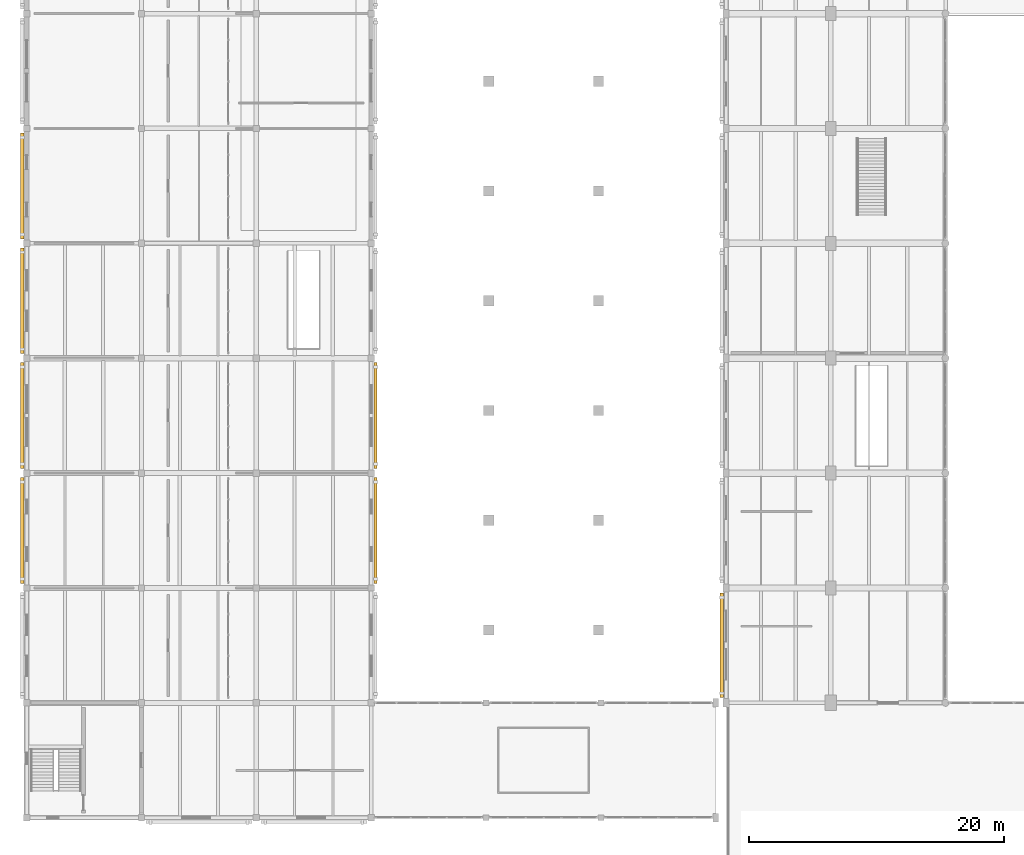
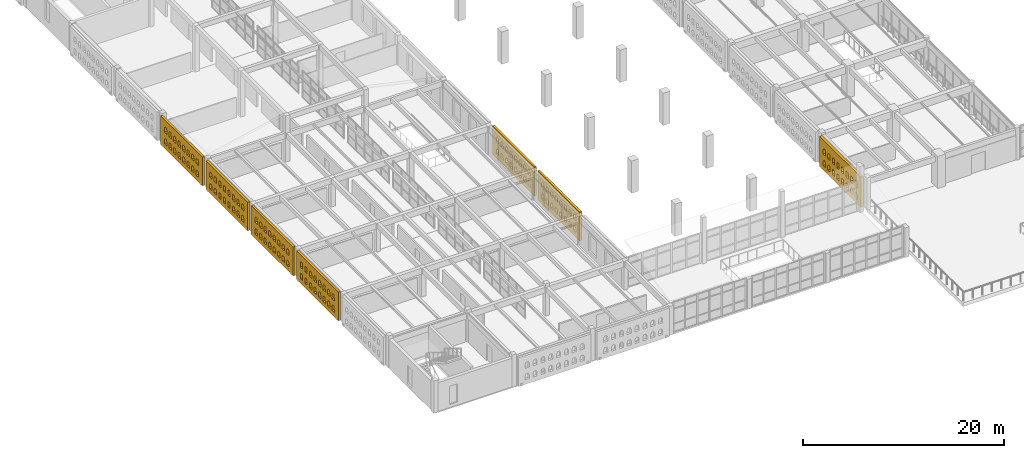
# One storey, part 143 of 156: 7 coverings.
"""IFC4 building model written with IfcOpenShell, lengths in metres."""

from ifc_helpers import new_model, si_unit, direction, frame, origin, place, context, subcontext, project, spatial, polyline, outline, extrude, material, layer, layer_set, type_object, element, save


model = new_model("IFC4")

# Units and contexts
model_context = context("Model", 3, precision=1e-05, world=origin(), true_north=direction((0.0, 1.0)))
body_context = subcontext(model_context, "Body", "Model", "MODEL_VIEW")
ifc_project = project(units=[si_unit("LENGTHUNIT", "METRE"), si_unit("AREAUNIT", "SQUARE_METRE"), si_unit("VOLUMEUNIT", "CUBIC_METRE"), si_unit("PLANEANGLEUNIT", "RADIAN"), si_unit("MASSUNIT", "GRAM", prefix="KILO")], contexts=[model_context])

# Site, building, storey
site_placement = place(None, origin())
site = spatial("IfcSite", under=ifc_project, at=site_placement, CompositionType="ELEMENT")
building_placement = place(site_placement, origin())
building = spatial("IfcBuilding", under=site, at=building_placement, Name="Ornek Quay Market", CompositionType="ELEMENT")
storey_placement = place(building_placement, frame((0.0, 0.0, 4.5)))
storey = spatial("IfcBuildingStorey", under=building, at=storey_placement, Name="L01", CompositionType="ELEMENT", Elevation=4.5)

# Coverings
ifc_material = material(Name="Frost-resistant facing clay brick M200 F100", Category="masonry")
ifc_layer_1 = layer(ifc_material, 0.25, Name="Frost-resistant facing clay brick M200 F100", Category="masonry")
ifc_layer_set_1 = layer_set([ifc_layer_1], Name="Frost-resistant facing clay brick M200 F100")
covering_type_1 = type_object("IfcCoveringType", Name="COV-BRICK-LATTICE-250", PredefinedType="CLADDING", material=ifc_layer_set_1)
covering_1_placement = place(storey_placement, frame((-0.340087890625, 38.35009765625, 0.0), z_axis=(0.0, 0.0, 1.0), x_axis=(0.0, 1.0, 0.0)))
element("IfcCovering", 1, at=covering_1_placement, inside=storey, type_object=covering_type_1, Name="Arched brick lattice screen BLS-014", PredefinedType="CLADDING", context=body_context, shape_type="SweptSolid", body=[
    extrude(outline(polyline([(0.0, 0.0), (8.2998046875, 0.0), (8.2998046875, 3.47998046875), (0.0, 3.47998046875), (0.0, 0.0)]), holes=[polyline([(0.760009765625, 0.550048828125), (1.239990234375, 0.550048828125), (1.239990234375, 1.050048828125), (1.1201171875, 1.2578125), (0.8798828125, 1.2578125), (0.760009765625, 1.050048828125), (0.760009765625, 0.550048828125)]), polyline([(0.760009765625, 1.949951171875), (1.239990234375, 1.949951171875), (1.239990234375, 2.449951171875), (1.1201171875, 2.65771484375), (0.8798828125, 2.65771484375), (0.760009765625, 2.449951171875), (0.760009765625, 1.949951171875)]), polyline([(1.659912109375, 0.550048828125), (2.139892578125, 0.550048828125), (2.139892578125, 1.050048828125), (2.02001953125, 1.2578125), (1.780029296875, 1.2578125), (1.659912109375, 1.050048828125), (1.659912109375, 0.550048828125)]), polyline([(1.659912109375, 1.949951171875), (2.139892578125, 1.949951171875), (2.139892578125, 2.449951171875), (2.02001953125, 2.65771484375), (1.780029296875, 2.65771484375), (1.659912109375, 2.449951171875), (1.659912109375, 1.949951171875)]), polyline([(2.56005859375, 0.550048828125), (3.0400390625, 0.550048828125), (3.0400390625, 1.050048828125), (2.919921875, 1.2578125), (2.679931640625, 1.2578125), (2.56005859375, 1.050048828125), (2.56005859375, 0.550048828125)]), polyline([(2.56005859375, 1.949951171875), (3.0400390625, 1.949951171875), (3.0400390625, 2.449951171875), (2.919921875, 2.65771484375), (2.679931640625, 2.65771484375), (2.56005859375, 2.449951171875), (2.56005859375, 1.949951171875)]), polyline([(3.4599609375, 0.550048828125), (3.93994140625, 0.550048828125), (3.93994140625, 1.050048828125), (3.820068359375, 1.2578125), (3.580078125, 1.2578125), (3.4599609375, 1.050048828125), (3.4599609375, 0.550048828125)]), polyline([(3.4599609375, 1.949951171875), (3.93994140625, 1.949951171875), (3.93994140625, 2.449951171875), (3.820068359375, 2.65771484375), (3.580078125, 2.65771484375), (3.4599609375, 2.449951171875), (3.4599609375, 1.949951171875)]), polyline([(4.360107421875, 0.550048828125), (4.840087890625, 0.550048828125), (4.840087890625, 1.050048828125), (4.719970703125, 1.2578125), (4.47998046875, 1.2578125), (4.360107421875, 1.050048828125), (4.360107421875, 0.550048828125)]), polyline([(4.360107421875, 1.949951171875), (4.840087890625, 1.949951171875), (4.840087890625, 2.449951171875), (4.719970703125, 2.65771484375), (4.47998046875, 2.65771484375), (4.360107421875, 2.449951171875), (4.360107421875, 1.949951171875)]), polyline([(5.260009765625, 0.550048828125), (5.739990234375, 0.550048828125), (5.739990234375, 1.050048828125), (5.6201171875, 1.2578125), (5.3798828125, 1.2578125), (5.260009765625, 1.050048828125), (5.260009765625, 0.550048828125)]), polyline([(5.260009765625, 1.949951171875), (5.739990234375, 1.949951171875), (5.739990234375, 2.449951171875), (5.6201171875, 2.65771484375), (5.3798828125, 2.65771484375), (5.260009765625, 2.449951171875), (5.260009765625, 1.949951171875)]), polyline([(6.159912109375, 0.550048828125), (6.639892578125, 0.550048828125), (6.639892578125, 1.050048828125), (6.52001953125, 1.2578125), (6.280029296875, 1.2578125), (6.159912109375, 1.050048828125), (6.159912109375, 0.550048828125)]), polyline([(6.159912109375, 1.949951171875), (6.639892578125, 1.949951171875), (6.639892578125, 2.449951171875), (6.52001953125, 2.65771484375), (6.280029296875, 2.65771484375), (6.159912109375, 2.449951171875), (6.159912109375, 1.949951171875)]), polyline([(7.06005859375, 0.550048828125), (7.5400390625, 0.550048828125), (7.5400390625, 1.050048828125), (7.419921875, 1.2578125), (7.179931640625, 1.2578125), (7.06005859375, 1.050048828125), (7.06005859375, 0.550048828125)]), polyline([(7.06005859375, 1.949951171875), (7.5400390625, 1.949951171875), (7.5400390625, 2.449951171875), (7.419921875, 2.65771484375), (7.179931640625, 2.65771484375), (7.06005859375, 2.449951171875), (7.06005859375, 1.949951171875)])]), frame((0.0, 0.125, 0.0), z_axis=(0.0, -1.0, 0.0), x_axis=(1.0, 0.0, 0.0)), (0.0, 0.0, 1.0), 0.25),
])
covering_2_placement = place(storey_placement, frame((-0.340087890625, 47.35009765625, 0.0), z_axis=(0.0, 0.0, 1.0), x_axis=(0.0, 1.0, 0.0)))
element("IfcCovering", 2, at=covering_2_placement, inside=storey, type_object=covering_type_1, Name="Arched brick lattice screen BLS-015", PredefinedType="CLADDING", context=body_context, shape_type="SweptSolid", body=[
    extrude(outline(polyline([(0.0, 0.0), (8.2998046875, 0.0), (8.2998046875, 3.47998046875), (0.0, 3.47998046875), (0.0, 0.0)]), holes=[polyline([(0.760009765625, 0.550048828125), (1.239990234375, 0.550048828125), (1.239990234375, 1.050048828125), (1.1201171875, 1.2578125), (0.8798828125, 1.2578125), (0.760009765625, 1.050048828125), (0.760009765625, 0.550048828125)]), polyline([(0.760009765625, 1.949951171875), (1.239990234375, 1.949951171875), (1.239990234375, 2.449951171875), (1.1201171875, 2.65771484375), (0.8798828125, 2.65771484375), (0.760009765625, 2.449951171875), (0.760009765625, 1.949951171875)]), polyline([(1.659912109375, 0.550048828125), (2.139892578125, 0.550048828125), (2.139892578125, 1.050048828125), (2.02001953125, 1.2578125), (1.780029296875, 1.2578125), (1.659912109375, 1.050048828125), (1.659912109375, 0.550048828125)]), polyline([(1.659912109375, 1.949951171875), (2.139892578125, 1.949951171875), (2.139892578125, 2.449951171875), (2.02001953125, 2.65771484375), (1.780029296875, 2.65771484375), (1.659912109375, 2.449951171875), (1.659912109375, 1.949951171875)]), polyline([(2.56005859375, 0.550048828125), (3.0400390625, 0.550048828125), (3.0400390625, 1.050048828125), (2.919921875, 1.2578125), (2.679931640625, 1.2578125), (2.56005859375, 1.050048828125), (2.56005859375, 0.550048828125)]), polyline([(2.56005859375, 1.949951171875), (3.0400390625, 1.949951171875), (3.0400390625, 2.449951171875), (2.919921875, 2.65771484375), (2.679931640625, 2.65771484375), (2.56005859375, 2.449951171875), (2.56005859375, 1.949951171875)]), polyline([(3.4599609375, 0.550048828125), (3.93994140625, 0.550048828125), (3.93994140625, 1.050048828125), (3.820068359375, 1.2578125), (3.580078125, 1.2578125), (3.4599609375, 1.050048828125), (3.4599609375, 0.550048828125)]), polyline([(3.4599609375, 1.949951171875), (3.93994140625, 1.949951171875), (3.93994140625, 2.449951171875), (3.820068359375, 2.65771484375), (3.580078125, 2.65771484375), (3.4599609375, 2.449951171875), (3.4599609375, 1.949951171875)]), polyline([(4.360107421875, 0.550048828125), (4.840087890625, 0.550048828125), (4.840087890625, 1.050048828125), (4.719970703125, 1.2578125), (4.47998046875, 1.2578125), (4.360107421875, 1.050048828125), (4.360107421875, 0.550048828125)]), polyline([(4.360107421875, 1.949951171875), (4.840087890625, 1.949951171875), (4.840087890625, 2.449951171875), (4.719970703125, 2.65771484375), (4.47998046875, 2.65771484375), (4.360107421875, 2.449951171875), (4.360107421875, 1.949951171875)]), polyline([(5.260009765625, 0.550048828125), (5.739990234375, 0.550048828125), (5.739990234375, 1.050048828125), (5.6201171875, 1.2578125), (5.3798828125, 1.2578125), (5.260009765625, 1.050048828125), (5.260009765625, 0.550048828125)]), polyline([(5.260009765625, 1.949951171875), (5.739990234375, 1.949951171875), (5.739990234375, 2.449951171875), (5.6201171875, 2.65771484375), (5.3798828125, 2.65771484375), (5.260009765625, 2.449951171875), (5.260009765625, 1.949951171875)]), polyline([(6.159912109375, 0.550048828125), (6.639892578125, 0.550048828125), (6.639892578125, 1.050048828125), (6.52001953125, 1.2578125), (6.280029296875, 1.2578125), (6.159912109375, 1.050048828125), (6.159912109375, 0.550048828125)]), polyline([(6.159912109375, 1.949951171875), (6.639892578125, 1.949951171875), (6.639892578125, 2.449951171875), (6.52001953125, 2.65771484375), (6.280029296875, 2.65771484375), (6.159912109375, 2.449951171875), (6.159912109375, 1.949951171875)]), polyline([(7.06005859375, 0.550048828125), (7.5400390625, 0.550048828125), (7.5400390625, 1.050048828125), (7.419921875, 1.2578125), (7.179931640625, 1.2578125), (7.06005859375, 1.050048828125), (7.06005859375, 0.550048828125)]), polyline([(7.06005859375, 1.949951171875), (7.5400390625, 1.949951171875), (7.5400390625, 2.449951171875), (7.419921875, 2.65771484375), (7.179931640625, 2.65771484375), (7.06005859375, 2.449951171875), (7.06005859375, 1.949951171875)])]), frame((0.0, 0.125, 0.0), z_axis=(0.0, -1.0, 0.0), x_axis=(1.0, 0.0, 0.0)), (0.0, 0.0, 1.0), 0.25),
])
covering_3_placement = place(storey_placement, frame((-0.340087890625, 56.35009765625, 0.0), z_axis=(0.0, 0.0, 1.0), x_axis=(0.0, 1.0, 0.0)))
element("IfcCovering", 3, at=covering_3_placement, inside=storey, type_object=covering_type_1, Name="Arched brick lattice screen BLS-016", PredefinedType="CLADDING", context=body_context, shape_type="SweptSolid", body=[
    extrude(outline(polyline([(0.0, 0.0), (8.2998046875, 0.0), (8.2998046875, 3.47998046875), (0.0, 3.47998046875), (0.0, 0.0)]), holes=[polyline([(0.760009765625, 0.550048828125), (1.239990234375, 0.550048828125), (1.239990234375, 1.050048828125), (1.1201171875, 1.2578125), (0.8798828125, 1.2578125), (0.760009765625, 1.050048828125), (0.760009765625, 0.550048828125)]), polyline([(0.760009765625, 1.949951171875), (1.239990234375, 1.949951171875), (1.239990234375, 2.449951171875), (1.1201171875, 2.65771484375), (0.8798828125, 2.65771484375), (0.760009765625, 2.449951171875), (0.760009765625, 1.949951171875)]), polyline([(1.659912109375, 0.550048828125), (2.139892578125, 0.550048828125), (2.139892578125, 1.050048828125), (2.02001953125, 1.2578125), (1.780029296875, 1.2578125), (1.659912109375, 1.050048828125), (1.659912109375, 0.550048828125)]), polyline([(1.659912109375, 1.949951171875), (2.139892578125, 1.949951171875), (2.139892578125, 2.449951171875), (2.02001953125, 2.65771484375), (1.780029296875, 2.65771484375), (1.659912109375, 2.449951171875), (1.659912109375, 1.949951171875)]), polyline([(2.56005859375, 0.550048828125), (3.0400390625, 0.550048828125), (3.0400390625, 1.050048828125), (2.919921875, 1.2578125), (2.679931640625, 1.2578125), (2.56005859375, 1.050048828125), (2.56005859375, 0.550048828125)]), polyline([(2.56005859375, 1.949951171875), (3.0400390625, 1.949951171875), (3.0400390625, 2.449951171875), (2.919921875, 2.65771484375), (2.679931640625, 2.65771484375), (2.56005859375, 2.449951171875), (2.56005859375, 1.949951171875)]), polyline([(3.4599609375, 0.550048828125), (3.93994140625, 0.550048828125), (3.93994140625, 1.050048828125), (3.820068359375, 1.2578125), (3.580078125, 1.2578125), (3.4599609375, 1.050048828125), (3.4599609375, 0.550048828125)]), polyline([(3.4599609375, 1.949951171875), (3.93994140625, 1.949951171875), (3.93994140625, 2.449951171875), (3.820068359375, 2.65771484375), (3.580078125, 2.65771484375), (3.4599609375, 2.449951171875), (3.4599609375, 1.949951171875)]), polyline([(4.360107421875, 0.550048828125), (4.840087890625, 0.550048828125), (4.840087890625, 1.050048828125), (4.719970703125, 1.2578125), (4.47998046875, 1.2578125), (4.360107421875, 1.050048828125), (4.360107421875, 0.550048828125)]), polyline([(4.360107421875, 1.949951171875), (4.840087890625, 1.949951171875), (4.840087890625, 2.449951171875), (4.719970703125, 2.65771484375), (4.47998046875, 2.65771484375), (4.360107421875, 2.449951171875), (4.360107421875, 1.949951171875)]), polyline([(5.260009765625, 0.550048828125), (5.739990234375, 0.550048828125), (5.739990234375, 1.050048828125), (5.6201171875, 1.2578125), (5.3798828125, 1.2578125), (5.260009765625, 1.050048828125), (5.260009765625, 0.550048828125)]), polyline([(5.260009765625, 1.949951171875), (5.739990234375, 1.949951171875), (5.739990234375, 2.449951171875), (5.6201171875, 2.65771484375), (5.3798828125, 2.65771484375), (5.260009765625, 2.449951171875), (5.260009765625, 1.949951171875)]), polyline([(6.159912109375, 0.550048828125), (6.639892578125, 0.550048828125), (6.639892578125, 1.050048828125), (6.52001953125, 1.2578125), (6.280029296875, 1.2578125), (6.159912109375, 1.050048828125), (6.159912109375, 0.550048828125)]), polyline([(6.159912109375, 1.949951171875), (6.639892578125, 1.949951171875), (6.639892578125, 2.449951171875), (6.52001953125, 2.65771484375), (6.280029296875, 2.65771484375), (6.159912109375, 2.449951171875), (6.159912109375, 1.949951171875)]), polyline([(7.06005859375, 0.550048828125), (7.5400390625, 0.550048828125), (7.5400390625, 1.050048828125), (7.419921875, 1.2578125), (7.179931640625, 1.2578125), (7.06005859375, 1.050048828125), (7.06005859375, 0.550048828125)]), polyline([(7.06005859375, 1.949951171875), (7.5400390625, 1.949951171875), (7.5400390625, 2.449951171875), (7.419921875, 2.65771484375), (7.179931640625, 2.65771484375), (7.06005859375, 2.449951171875), (7.06005859375, 1.949951171875)])]), frame((0.0, 0.125, 0.0), z_axis=(0.0, -1.0, 0.0), x_axis=(1.0, 0.0, 0.0)), (0.0, 0.0, 1.0), 0.25),
])
covering_4_placement = place(storey_placement, frame((-0.340087890625, 65.35009765625, 0.0), z_axis=(0.0, 0.0, 1.0), x_axis=(0.0, 1.0, 0.0)))
element("IfcCovering", 4, at=covering_4_placement, inside=storey, type_object=covering_type_1, Name="Arched brick lattice screen BLS-017", PredefinedType="CLADDING", context=body_context, shape_type="SweptSolid", body=[
    extrude(outline(polyline([(0.0, 0.0), (8.2998046875, 0.0), (8.2998046875, 3.47998046875), (0.0, 3.47998046875), (0.0, 0.0)]), holes=[polyline([(0.760009765625, 0.550048828125), (1.239990234375, 0.550048828125), (1.239990234375, 1.050048828125), (1.1201171875, 1.2578125), (0.8798828125, 1.2578125), (0.760009765625, 1.050048828125), (0.760009765625, 0.550048828125)]), polyline([(0.760009765625, 1.949951171875), (1.239990234375, 1.949951171875), (1.239990234375, 2.449951171875), (1.1201171875, 2.65771484375), (0.8798828125, 2.65771484375), (0.760009765625, 2.449951171875), (0.760009765625, 1.949951171875)]), polyline([(1.659912109375, 0.550048828125), (2.139892578125, 0.550048828125), (2.139892578125, 1.050048828125), (2.02001953125, 1.2578125), (1.780029296875, 1.2578125), (1.659912109375, 1.050048828125), (1.659912109375, 0.550048828125)]), polyline([(1.659912109375, 1.949951171875), (2.139892578125, 1.949951171875), (2.139892578125, 2.449951171875), (2.02001953125, 2.65771484375), (1.780029296875, 2.65771484375), (1.659912109375, 2.449951171875), (1.659912109375, 1.949951171875)]), polyline([(2.56005859375, 0.550048828125), (3.0400390625, 0.550048828125), (3.0400390625, 1.050048828125), (2.919921875, 1.2578125), (2.679931640625, 1.2578125), (2.56005859375, 1.050048828125), (2.56005859375, 0.550048828125)]), polyline([(2.56005859375, 1.949951171875), (3.0400390625, 1.949951171875), (3.0400390625, 2.449951171875), (2.919921875, 2.65771484375), (2.679931640625, 2.65771484375), (2.56005859375, 2.449951171875), (2.56005859375, 1.949951171875)]), polyline([(3.4599609375, 0.550048828125), (3.93994140625, 0.550048828125), (3.93994140625, 1.050048828125), (3.820068359375, 1.2578125), (3.580078125, 1.2578125), (3.4599609375, 1.050048828125), (3.4599609375, 0.550048828125)]), polyline([(3.4599609375, 1.949951171875), (3.93994140625, 1.949951171875), (3.93994140625, 2.449951171875), (3.820068359375, 2.65771484375), (3.580078125, 2.65771484375), (3.4599609375, 2.449951171875), (3.4599609375, 1.949951171875)]), polyline([(4.360107421875, 0.550048828125), (4.840087890625, 0.550048828125), (4.840087890625, 1.050048828125), (4.719970703125, 1.2578125), (4.47998046875, 1.2578125), (4.360107421875, 1.050048828125), (4.360107421875, 0.550048828125)]), polyline([(4.360107421875, 1.949951171875), (4.840087890625, 1.949951171875), (4.840087890625, 2.449951171875), (4.719970703125, 2.65771484375), (4.47998046875, 2.65771484375), (4.360107421875, 2.449951171875), (4.360107421875, 1.949951171875)]), polyline([(5.260009765625, 0.550048828125), (5.739990234375, 0.550048828125), (5.739990234375, 1.050048828125), (5.6201171875, 1.2578125), (5.3798828125, 1.2578125), (5.260009765625, 1.050048828125), (5.260009765625, 0.550048828125)]), polyline([(5.260009765625, 1.949951171875), (5.739990234375, 1.949951171875), (5.739990234375, 2.449951171875), (5.6201171875, 2.65771484375), (5.3798828125, 2.65771484375), (5.260009765625, 2.449951171875), (5.260009765625, 1.949951171875)]), polyline([(6.159912109375, 0.550048828125), (6.639892578125, 0.550048828125), (6.639892578125, 1.050048828125), (6.52001953125, 1.2578125), (6.280029296875, 1.2578125), (6.159912109375, 1.050048828125), (6.159912109375, 0.550048828125)]), polyline([(6.159912109375, 1.949951171875), (6.639892578125, 1.949951171875), (6.639892578125, 2.449951171875), (6.52001953125, 2.65771484375), (6.280029296875, 2.65771484375), (6.159912109375, 2.449951171875), (6.159912109375, 1.949951171875)]), polyline([(7.06005859375, 0.550048828125), (7.5400390625, 0.550048828125), (7.5400390625, 1.050048828125), (7.419921875, 1.2578125), (7.179931640625, 1.2578125), (7.06005859375, 1.050048828125), (7.06005859375, 0.550048828125)]), polyline([(7.06005859375, 1.949951171875), (7.5400390625, 1.949951171875), (7.5400390625, 2.449951171875), (7.419921875, 2.65771484375), (7.179931640625, 2.65771484375), (7.06005859375, 2.449951171875), (7.06005859375, 1.949951171875)])]), frame((0.0, 0.125, 0.0), z_axis=(0.0, -1.0, 0.0), x_axis=(1.0, 0.0, 0.0)), (0.0, 0.0, 1.0), 0.25),
])
covering_5_placement = place(storey_placement, frame((27.340087890625, 38.35009765625, 0.0), z_axis=(0.0, 0.0, 1.0), x_axis=(0.0, 1.0, 0.0)))
element("IfcCovering", 5, at=covering_5_placement, inside=storey, type_object=covering_type_1, Name="Arched brick lattice screen BLS-022", PredefinedType="CLADDING", context=body_context, shape_type="SweptSolid", body=[
    extrude(outline(polyline([(0.0, 0.0), (8.2998046875, 0.0), (8.2998046875, 3.47998046875), (0.0, 3.47998046875), (0.0, 0.0)]), holes=[polyline([(0.760009765625, 0.550048828125), (1.239990234375, 0.550048828125), (1.239990234375, 1.050048828125), (1.1201171875, 1.2578125), (0.8798828125, 1.2578125), (0.760009765625, 1.050048828125), (0.760009765625, 0.550048828125)]), polyline([(0.760009765625, 1.949951171875), (1.239990234375, 1.949951171875), (1.239990234375, 2.449951171875), (1.1201171875, 2.65771484375), (0.8798828125, 2.65771484375), (0.760009765625, 2.449951171875), (0.760009765625, 1.949951171875)]), polyline([(1.659912109375, 0.550048828125), (2.139892578125, 0.550048828125), (2.139892578125, 1.050048828125), (2.02001953125, 1.2578125), (1.780029296875, 1.2578125), (1.659912109375, 1.050048828125), (1.659912109375, 0.550048828125)]), polyline([(1.659912109375, 1.949951171875), (2.139892578125, 1.949951171875), (2.139892578125, 2.449951171875), (2.02001953125, 2.65771484375), (1.780029296875, 2.65771484375), (1.659912109375, 2.449951171875), (1.659912109375, 1.949951171875)]), polyline([(2.56005859375, 0.550048828125), (3.0400390625, 0.550048828125), (3.0400390625, 1.050048828125), (2.919921875, 1.2578125), (2.679931640625, 1.2578125), (2.56005859375, 1.050048828125), (2.56005859375, 0.550048828125)]), polyline([(2.56005859375, 1.949951171875), (3.0400390625, 1.949951171875), (3.0400390625, 2.449951171875), (2.919921875, 2.65771484375), (2.679931640625, 2.65771484375), (2.56005859375, 2.449951171875), (2.56005859375, 1.949951171875)]), polyline([(3.4599609375, 0.550048828125), (3.93994140625, 0.550048828125), (3.93994140625, 1.050048828125), (3.820068359375, 1.2578125), (3.580078125, 1.2578125), (3.4599609375, 1.050048828125), (3.4599609375, 0.550048828125)]), polyline([(3.4599609375, 1.949951171875), (3.93994140625, 1.949951171875), (3.93994140625, 2.449951171875), (3.820068359375, 2.65771484375), (3.580078125, 2.65771484375), (3.4599609375, 2.449951171875), (3.4599609375, 1.949951171875)]), polyline([(4.360107421875, 0.550048828125), (4.840087890625, 0.550048828125), (4.840087890625, 1.050048828125), (4.719970703125, 1.2578125), (4.47998046875, 1.2578125), (4.360107421875, 1.050048828125), (4.360107421875, 0.550048828125)]), polyline([(4.360107421875, 1.949951171875), (4.840087890625, 1.949951171875), (4.840087890625, 2.449951171875), (4.719970703125, 2.65771484375), (4.47998046875, 2.65771484375), (4.360107421875, 2.449951171875), (4.360107421875, 1.949951171875)]), polyline([(5.260009765625, 0.550048828125), (5.739990234375, 0.550048828125), (5.739990234375, 1.050048828125), (5.6201171875, 1.2578125), (5.3798828125, 1.2578125), (5.260009765625, 1.050048828125), (5.260009765625, 0.550048828125)]), polyline([(5.260009765625, 1.949951171875), (5.739990234375, 1.949951171875), (5.739990234375, 2.449951171875), (5.6201171875, 2.65771484375), (5.3798828125, 2.65771484375), (5.260009765625, 2.449951171875), (5.260009765625, 1.949951171875)]), polyline([(6.159912109375, 0.550048828125), (6.639892578125, 0.550048828125), (6.639892578125, 1.050048828125), (6.52001953125, 1.2578125), (6.280029296875, 1.2578125), (6.159912109375, 1.050048828125), (6.159912109375, 0.550048828125)]), polyline([(6.159912109375, 1.949951171875), (6.639892578125, 1.949951171875), (6.639892578125, 2.449951171875), (6.52001953125, 2.65771484375), (6.280029296875, 2.65771484375), (6.159912109375, 2.449951171875), (6.159912109375, 1.949951171875)]), polyline([(7.06005859375, 0.550048828125), (7.5400390625, 0.550048828125), (7.5400390625, 1.050048828125), (7.419921875, 1.2578125), (7.179931640625, 1.2578125), (7.06005859375, 1.050048828125), (7.06005859375, 0.550048828125)]), polyline([(7.06005859375, 1.949951171875), (7.5400390625, 1.949951171875), (7.5400390625, 2.449951171875), (7.419921875, 2.65771484375), (7.179931640625, 2.65771484375), (7.06005859375, 2.449951171875), (7.06005859375, 1.949951171875)])]), frame((0.0, 0.125, 0.0), z_axis=(0.0, -1.0, 0.0), x_axis=(1.0, 0.0, 0.0)), (0.0, 0.0, 1.0), 0.25),
])
covering_6_placement = place(storey_placement, frame((27.340087890625, 47.35009765625, 0.0), z_axis=(0.0, 0.0, 1.0), x_axis=(0.0, 1.0, 0.0)))
element("IfcCovering", 6, at=covering_6_placement, inside=storey, type_object=covering_type_1, Name="Arched brick lattice screen BLS-023", PredefinedType="CLADDING", context=body_context, shape_type="SweptSolid", body=[
    extrude(outline(polyline([(0.0, 0.0), (8.2998046875, 0.0), (8.2998046875, 3.47998046875), (0.0, 3.47998046875), (0.0, 0.0)]), holes=[polyline([(0.760009765625, 0.550048828125), (1.239990234375, 0.550048828125), (1.239990234375, 1.050048828125), (1.1201171875, 1.2578125), (0.8798828125, 1.2578125), (0.760009765625, 1.050048828125), (0.760009765625, 0.550048828125)]), polyline([(0.760009765625, 1.949951171875), (1.239990234375, 1.949951171875), (1.239990234375, 2.449951171875), (1.1201171875, 2.65771484375), (0.8798828125, 2.65771484375), (0.760009765625, 2.449951171875), (0.760009765625, 1.949951171875)]), polyline([(1.659912109375, 0.550048828125), (2.139892578125, 0.550048828125), (2.139892578125, 1.050048828125), (2.02001953125, 1.2578125), (1.780029296875, 1.2578125), (1.659912109375, 1.050048828125), (1.659912109375, 0.550048828125)]), polyline([(1.659912109375, 1.949951171875), (2.139892578125, 1.949951171875), (2.139892578125, 2.449951171875), (2.02001953125, 2.65771484375), (1.780029296875, 2.65771484375), (1.659912109375, 2.449951171875), (1.659912109375, 1.949951171875)]), polyline([(2.56005859375, 0.550048828125), (3.0400390625, 0.550048828125), (3.0400390625, 1.050048828125), (2.919921875, 1.2578125), (2.679931640625, 1.2578125), (2.56005859375, 1.050048828125), (2.56005859375, 0.550048828125)]), polyline([(2.56005859375, 1.949951171875), (3.0400390625, 1.949951171875), (3.0400390625, 2.449951171875), (2.919921875, 2.65771484375), (2.679931640625, 2.65771484375), (2.56005859375, 2.449951171875), (2.56005859375, 1.949951171875)]), polyline([(3.4599609375, 0.550048828125), (3.93994140625, 0.550048828125), (3.93994140625, 1.050048828125), (3.820068359375, 1.2578125), (3.580078125, 1.2578125), (3.4599609375, 1.050048828125), (3.4599609375, 0.550048828125)]), polyline([(3.4599609375, 1.949951171875), (3.93994140625, 1.949951171875), (3.93994140625, 2.449951171875), (3.820068359375, 2.65771484375), (3.580078125, 2.65771484375), (3.4599609375, 2.449951171875), (3.4599609375, 1.949951171875)]), polyline([(4.360107421875, 0.550048828125), (4.840087890625, 0.550048828125), (4.840087890625, 1.050048828125), (4.719970703125, 1.2578125), (4.47998046875, 1.2578125), (4.360107421875, 1.050048828125), (4.360107421875, 0.550048828125)]), polyline([(4.360107421875, 1.949951171875), (4.840087890625, 1.949951171875), (4.840087890625, 2.449951171875), (4.719970703125, 2.65771484375), (4.47998046875, 2.65771484375), (4.360107421875, 2.449951171875), (4.360107421875, 1.949951171875)]), polyline([(5.260009765625, 0.550048828125), (5.739990234375, 0.550048828125), (5.739990234375, 1.050048828125), (5.6201171875, 1.2578125), (5.3798828125, 1.2578125), (5.260009765625, 1.050048828125), (5.260009765625, 0.550048828125)]), polyline([(5.260009765625, 1.949951171875), (5.739990234375, 1.949951171875), (5.739990234375, 2.449951171875), (5.6201171875, 2.65771484375), (5.3798828125, 2.65771484375), (5.260009765625, 2.449951171875), (5.260009765625, 1.949951171875)]), polyline([(6.159912109375, 0.550048828125), (6.639892578125, 0.550048828125), (6.639892578125, 1.050048828125), (6.52001953125, 1.2578125), (6.280029296875, 1.2578125), (6.159912109375, 1.050048828125), (6.159912109375, 0.550048828125)]), polyline([(6.159912109375, 1.949951171875), (6.639892578125, 1.949951171875), (6.639892578125, 2.449951171875), (6.52001953125, 2.65771484375), (6.280029296875, 2.65771484375), (6.159912109375, 2.449951171875), (6.159912109375, 1.949951171875)]), polyline([(7.06005859375, 0.550048828125), (7.5400390625, 0.550048828125), (7.5400390625, 1.050048828125), (7.419921875, 1.2578125), (7.179931640625, 1.2578125), (7.06005859375, 1.050048828125), (7.06005859375, 0.550048828125)]), polyline([(7.06005859375, 1.949951171875), (7.5400390625, 1.949951171875), (7.5400390625, 2.449951171875), (7.419921875, 2.65771484375), (7.179931640625, 2.65771484375), (7.06005859375, 2.449951171875), (7.06005859375, 1.949951171875)])]), frame((0.0, 0.125, 0.0), z_axis=(0.0, -1.0, 0.0), x_axis=(1.0, 0.0, 0.0)), (0.0, 0.0, 1.0), 0.25),
])
ifc_layer_2 = layer(ifc_material, 0.2900390625, Name="Frost-resistant facing clay brick M200 F100", Category="masonry")
ifc_layer_set_2 = layer_set([ifc_layer_2], Name="Frost-resistant facing clay brick M200 F100")
covering_type_2 = type_object("IfcCoveringType", Name="COV-BRICK-LATTICE-290", PredefinedType="CLADDING", material=ifc_layer_set_2)
covering_7_placement = place(storey_placement, frame((54.4599609375, 29.39990234375, 0.0), z_axis=(0.0, 0.0, 1.0), x_axis=(0.0, 1.0, 0.0)))
element("IfcCovering", 7, at=covering_7_placement, inside=storey, type_object=covering_type_2, Name="Arched brick lattice screen BLS-042", PredefinedType="CLADDING", context=body_context, shape_type="SweptSolid", body=[
    extrude(outline(polyline([(0.0, 0.0), (8.2001953125, 0.0), (8.2001953125, 3.659912109375), (0.0, 3.659912109375), (0.0, 0.0)]), holes=[polyline([(0.7099609375, 0.550048828125), (1.18994140625, 0.550048828125), (1.18994140625, 1.050048828125), (1.070068359375, 1.2578125), (0.830078125, 1.2578125), (0.7099609375, 1.050048828125), (0.7099609375, 0.550048828125)]), polyline([(0.7099609375, 1.949951171875), (1.18994140625, 1.949951171875), (1.18994140625, 2.449951171875), (1.070068359375, 2.65771484375), (0.830078125, 2.65771484375), (0.7099609375, 2.449951171875), (0.7099609375, 1.949951171875)]), polyline([(1.610107421875, 0.550048828125), (2.090087890625, 0.550048828125), (2.090087890625, 1.050048828125), (1.969970703125, 1.2578125), (1.72998046875, 1.2578125), (1.610107421875, 1.050048828125), (1.610107421875, 0.550048828125)]), polyline([(1.610107421875, 1.949951171875), (2.090087890625, 1.949951171875), (2.090087890625, 2.449951171875), (1.969970703125, 2.65771484375), (1.72998046875, 2.65771484375), (1.610107421875, 2.449951171875), (1.610107421875, 1.949951171875)]), polyline([(2.510009765625, 0.550048828125), (2.989990234375, 0.550048828125), (2.989990234375, 1.050048828125), (2.8701171875, 1.2578125), (2.6298828125, 1.2578125), (2.510009765625, 1.050048828125), (2.510009765625, 0.550048828125)]), polyline([(2.510009765625, 1.949951171875), (2.989990234375, 1.949951171875), (2.989990234375, 2.449951171875), (2.8701171875, 2.65771484375), (2.6298828125, 2.65771484375), (2.510009765625, 2.449951171875), (2.510009765625, 1.949951171875)]), polyline([(3.409912109375, 0.550048828125), (3.889892578125, 0.550048828125), (3.889892578125, 1.050048828125), (3.77001953125, 1.2578125), (3.530029296875, 1.2578125), (3.409912109375, 1.050048828125), (3.409912109375, 0.550048828125)]), polyline([(3.409912109375, 1.949951171875), (3.889892578125, 1.949951171875), (3.889892578125, 2.449951171875), (3.77001953125, 2.65771484375), (3.530029296875, 2.65771484375), (3.409912109375, 2.449951171875), (3.409912109375, 1.949951171875)]), polyline([(4.31005859375, 0.550048828125), (4.7900390625, 0.550048828125), (4.7900390625, 1.050048828125), (4.669921875, 1.2578125), (4.429931640625, 1.2578125), (4.31005859375, 1.050048828125), (4.31005859375, 0.550048828125)]), polyline([(4.31005859375, 1.949951171875), (4.7900390625, 1.949951171875), (4.7900390625, 2.449951171875), (4.669921875, 2.65771484375), (4.429931640625, 2.65771484375), (4.31005859375, 2.449951171875), (4.31005859375, 1.949951171875)]), polyline([(5.2099609375, 0.550048828125), (5.68994140625, 0.550048828125), (5.68994140625, 1.050048828125), (5.570068359375, 1.2578125), (5.330078125, 1.2578125), (5.2099609375, 1.050048828125), (5.2099609375, 0.550048828125)]), polyline([(5.2099609375, 1.949951171875), (5.68994140625, 1.949951171875), (5.68994140625, 2.449951171875), (5.570068359375, 2.65771484375), (5.330078125, 2.65771484375), (5.2099609375, 2.449951171875), (5.2099609375, 1.949951171875)]), polyline([(6.110107421875, 0.550048828125), (6.590087890625, 0.550048828125), (6.590087890625, 1.050048828125), (6.469970703125, 1.2578125), (6.22998046875, 1.2578125), (6.110107421875, 1.050048828125), (6.110107421875, 0.550048828125)]), polyline([(6.110107421875, 1.949951171875), (6.590087890625, 1.949951171875), (6.590087890625, 2.449951171875), (6.469970703125, 2.65771484375), (6.22998046875, 2.65771484375), (6.110107421875, 2.449951171875), (6.110107421875, 1.949951171875)]), polyline([(7.010009765625, 0.550048828125), (7.489990234375, 0.550048828125), (7.489990234375, 1.050048828125), (7.3701171875, 1.2578125), (7.1298828125, 1.2578125), (7.010009765625, 1.050048828125), (7.010009765625, 0.550048828125)]), polyline([(7.010009765625, 1.949951171875), (7.489990234375, 1.949951171875), (7.489990234375, 2.449951171875), (7.3701171875, 2.65771484375), (7.1298828125, 2.65771484375), (7.010009765625, 2.449951171875), (7.010009765625, 1.949951171875)])]), frame((0.0, 0.14501953125, 0.0), z_axis=(0.0, -1.0, 0.0), x_axis=(1.0, 0.0, 0.0)), (0.0, 0.0, 1.0), 0.2900390625),
])

save(model, "model.ifc")
